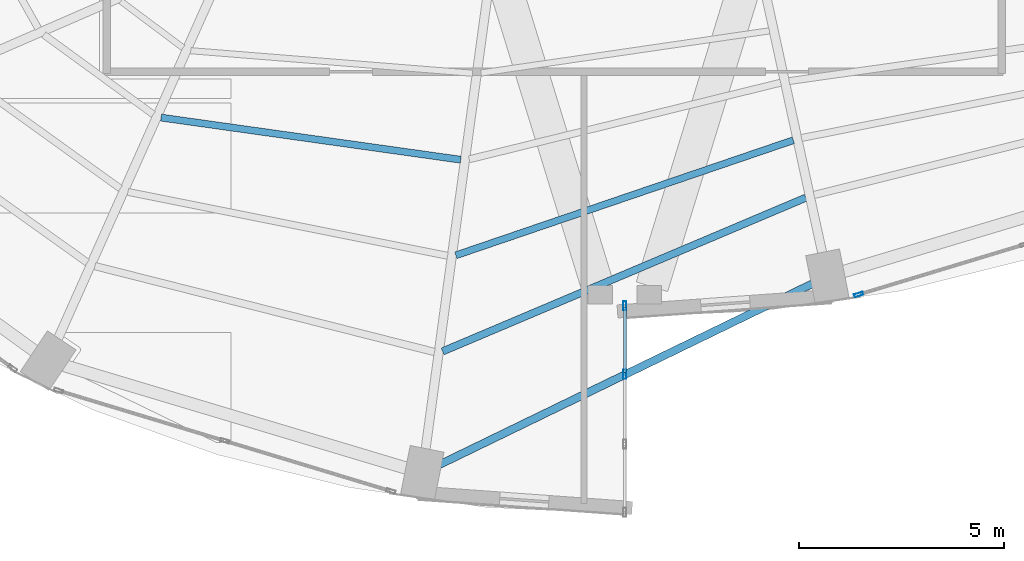
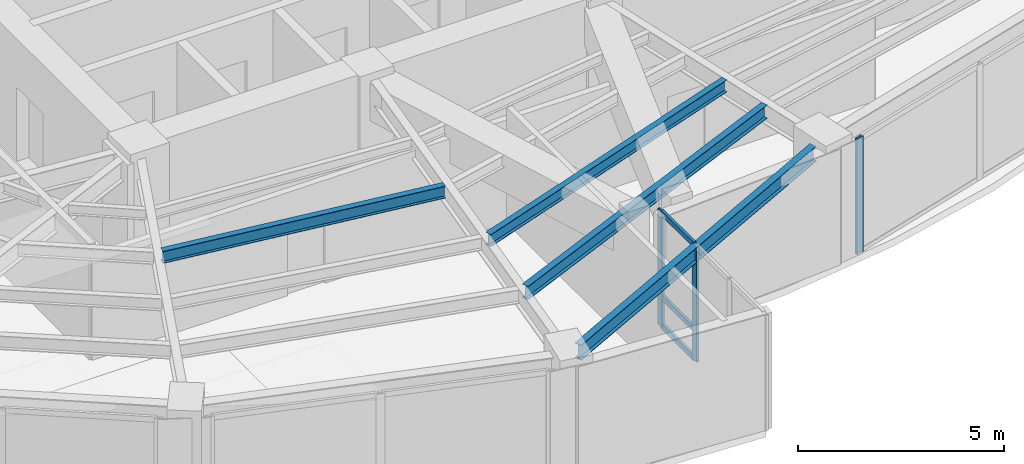
# One storey, part 6 of 24: 6 members, 4 beams, 2 elements without a shape of their own.
"""IFC4 building model written with IfcOpenShell, lengths in metres."""

from ifc_helpers import new_model, si_unit, direction, frame, origin, origin_2d, place, context, subcontext, project, spatial, hollow_rectangle, i_section, extrude, material, layer, layer_set, material_profile, profile_set, type_object, element, aggregate, save


model = new_model("IFC4")

# Units and contexts
model_context = context("Model", 3, precision=1e-05, world=origin(), true_north=direction((0.0, 1.0)))
body_context = subcontext(model_context, "Body", "Model", "MODEL_VIEW")
ifc_project = project(units=[si_unit("LENGTHUNIT", "METRE"), si_unit("AREAUNIT", "SQUARE_METRE"), si_unit("VOLUMEUNIT", "CUBIC_METRE"), si_unit("PLANEANGLEUNIT", "RADIAN"), si_unit("MASSUNIT", "GRAM", prefix="KILO")], contexts=[model_context])

# Site, building, storey
site_placement = place(None, origin())
site = spatial("IfcSite", under=ifc_project, at=site_placement, CompositionType="ELEMENT")
building_placement = place(site_placement, origin())
building = spatial("IfcBuilding", under=site, at=building_placement, Name="Lazwardi Medical Tower", CompositionType="ELEMENT")
storey_placement = place(building_placement, frame((0.0, 0.0, 99.98388671875)))
storey = spatial("IfcBuildingStorey", under=building, at=storey_placement, Name="L25", CompositionType="ELEMENT", Elevation=99.98388671875)

# Beams
ifc_material_1 = material(Name="Steel S355", Category="steel")
ifc_material_profile_1 = material_profile(ifc_material_1, i_section(OverallWidth=0.179931640625, OverallDepth=0.39990234375, WebThickness=0.008544921875, FlangeThickness=0.013427734375, at=origin_2d()), Name="IPE 400")
ifc_profile_set_1 = profile_set([ifc_material_profile_1], Name="Steel S355")
beam_type_1 = type_object("IfcBeamType", Name="BM-SJ-01", PredefinedType="JOIST", material=ifc_profile_set_1)
beam_1_placement = place(storey_placement, frame((31.550537109375, 10.571533203125, 3.22802734375), z_axis=(0.920947307957, 0.389687125739, 0.0), x_axis=(-0.389687125739, 0.920947307957, 0.0)))
element("IfcBeam", 1, at=beam_1_placement, inside=storey, type_object=beam_type_1, Name="Secondary joist SJ-01 R1 B16 L25", PredefinedType="JOIST", context=body_context, shape_type="SweptSolid", body=[
    extrude(i_section(OverallWidth=0.179931640625, OverallDepth=0.39990234375, WebThickness=0.008544921875, FlangeThickness=0.013427734375, at=origin_2d()), origin(), (0.0, 0.0, 1.0), 9.63134765625),
])
ifc_material_profile_2 = material_profile(ifc_material_1, i_section(OverallWidth=0.169921875, OverallDepth=0.360107421875, WebThickness=0.008056640625, FlangeThickness=0.0126953125, at=origin_2d()), Name="IPE 360")
ifc_profile_set_2 = profile_set([ifc_material_profile_2], Name="Steel S355")
beam_type_2 = type_object("IfcBeamType", Name="BM-SJ-02", PredefinedType="JOIST", material=ifc_profile_set_2)
beam_2_placement = place(storey_placement, frame((31.874267578125, 12.91796875, 3.248046875), z_axis=(0.946467154368, 0.322800132749, 0.0), x_axis=(-0.322800132749, 0.946467154368, 0.0)))
element("IfcBeam", 2, at=beam_2_placement, inside=storey, type_object=beam_type_2, Name="Secondary joist SJ-02 R2 B16 L25", PredefinedType="JOIST", context=body_context, shape_type="SweptSolid", body=[
    extrude(i_section(OverallWidth=0.169921875, OverallDepth=0.360107421875, WebThickness=0.008056640625, FlangeThickness=0.0126953125, at=origin_2d()), origin(), (0.0, 0.0, 1.0), 8.70458984375),
])
beam_3_placement = place(storey_placement, frame((24.67431640625, 16.281005859375, 3.248046875), z_axis=(0.990260920731, -0.139223952222, 0.0), x_axis=(0.139223952222, 0.990260920731, 0.0)))
element("IfcBeam", 3, at=beam_3_placement, inside=storey, type_object=beam_type_2, Name="Secondary joist SJ-02 R3 B15 L25", PredefinedType="JOIST", context=body_context, shape_type="SweptSolid", body=[
    extrude(i_section(OverallWidth=0.169921875, OverallDepth=0.360107421875, WebThickness=0.008056640625, FlangeThickness=0.0126953125, at=origin_2d()), origin(), (0.0, 0.0, 1.0), 7.3896484375),
])
ifc_material_profile_3 = material_profile(ifc_material_1, i_section(OverallWidth=0.18994140625, OverallDepth=0.449951171875, WebThickness=0.009521484375, FlangeThickness=0.0146484375, at=origin_2d()), Name="IPE 450")
ifc_profile_set_3 = profile_set([ifc_material_profile_3], Name="Steel S355")
beam_type_3 = type_object("IfcBeamType", Name="BM-SP-01", PredefinedType="SPANDREL", material=ifc_profile_set_3)
beam_4_placement = place(storey_placement, frame((31.42333984375, 7.781494140625, 3.203125), z_axis=(0.899653336227, 0.436604941125, 0.0), x_axis=(-0.436604941125, 0.899653336227, 0.0)))
element("IfcBeam", 4, at=beam_4_placement, inside=storey, type_object=beam_type_3, Name="Spandrel beam SP-01 B16 L25", PredefinedType="SPANDREL", context=body_context, shape_type="SweptSolid", body=[
    extrude(i_section(OverallWidth=0.18994140625, OverallDepth=0.449951171875, WebThickness=0.009521484375, FlangeThickness=0.0146484375, at=origin_2d()), origin(), (0.0, 0.0, 1.0), 10.17431640625),
])

# Curtain wall, member
ifc_material_2 = material(Name="Anodised bronze aluminium and solar control glazing", Category="aluminium")
ifc_layer_1 = layer(ifc_material_2, 0.195068359375)
ifc_layer_set_1 = layer_set([ifc_layer_1], Name="Anodised bronze aluminium and solar control glazing")
curtain_wall_type_1 = type_object("IfcCurtainWallType", Name="CW-SYS-03", PredefinedType="NOTDEFINED", material=ifc_layer_set_1)
curtain_wall_1_placement = place(storey_placement, origin())
curtain_wall_1 = element("IfcCurtainWall", 5, at=curtain_wall_1_placement, inside=storey, type_object=curtain_wall_type_1, Name="L25 Unitised bronze curtain wall CW-03", PredefinedType="NOTDEFINED")
ifc_material_3 = material(Name="Anodised bronze aluminium", Category="aluminium")
ifc_material_profile_4 = material_profile(ifc_material_3, hollow_rectangle(XDim=0.074951171875, YDim=0.219970703125, WallThickness=0.00390625, at=origin_2d()), Name="ALU-MULLION 220x75x4")
ifc_profile_set_4 = profile_set([ifc_material_profile_4], Name="Anodised bronze aluminium")
member_type_1 = type_object("IfcMemberType", Name="CW-MUL-01", PredefinedType="MULLION", material=ifc_profile_set_4)
member_1_placement = place(storey_placement, frame((41.710205078125, 11.9599609375, 0.0), z_axis=(0.0, 0.0, 1.0), x_axis=(-0.28937381157, 0.957216170558, 0.0)))
member_1 = element("IfcMember", 6, at=member_1_placement, type_object=member_type_1, Name="CW-03 mullion 1", PredefinedType="MULLION", context=body_context, shape_type="SweptSolid", body=[
    extrude(hollow_rectangle(XDim=0.074951171875, YDim=0.219970703125, WallThickness=0.00390625, at=origin_2d()), origin(), (0.0, 0.0, 1.0), 3.42822265625),
])
aggregate(curtain_wall_1, [member_1])

# Curtain wall, members
ifc_layer_2 = layer(ifc_material_2, 0.2099609375)
ifc_layer_set_2 = layer_set([ifc_layer_2], Name="Anodised bronze aluminium and solar control glazing")
curtain_wall_type_2 = type_object("IfcCurtainWallType", Name="CW-SYS-06", PredefinedType="NOTDEFINED", material=ifc_layer_set_2)
curtain_wall_2_placement = place(storey_placement, origin())
curtain_wall_2 = element("IfcCurtainWall", 7, at=curtain_wall_2_placement, inside=storey, type_object=curtain_wall_type_2, Name="L25 Unitised bronze curtain wall CW-06", PredefinedType="NOTDEFINED")
member_2_placement = place(storey_placement, frame((36.0, 10.013427734375, 0.0), z_axis=(0.0, 0.0, 1.0), x_axis=(-1.0, 0.0, 0.0)))
member_2 = element("IfcMember", 8, at=member_2_placement, type_object=member_type_1, Name="CW-06 mullion 3", PredefinedType="MULLION", context=body_context, shape_type="SweptSolid", body=[
    extrude(hollow_rectangle(XDim=0.074951171875, YDim=0.219970703125, WallThickness=0.00390625, at=origin_2d()), origin(), (0.0, 0.0, 1.0), 3.42822265625),
])
member_3_placement = place(storey_placement, frame((36.0, 11.6826171875, 0.0), z_axis=(0.0, 0.0, 1.0), x_axis=(-1.0, 0.0, 0.0)))
member_3 = element("IfcMember", 9, at=member_3_placement, type_object=member_type_1, Name="CW-06 mullion 4", PredefinedType="MULLION", context=body_context, shape_type="SweptSolid", body=[
    extrude(hollow_rectangle(XDim=0.074951171875, YDim=0.219970703125, WallThickness=0.00390625, at=origin_2d()), origin(), (0.0, 0.0, 1.0), 3.42822265625),
])
ifc_material_profile_5 = material_profile(ifc_material_3, hollow_rectangle(XDim=0.074951171875, YDim=0.159912109375, WallThickness=0.00390625, at=origin_2d()), Name="ALU-TRANSOM 160x75x4")
ifc_profile_set_5 = profile_set([ifc_material_profile_5], Name="Anodised bronze aluminium")
member_type_2 = type_object("IfcMemberType", Name="CW-TRN-01", PredefinedType="USERDEFINED", material=ifc_profile_set_5)
member_4_placement = place(storey_placement, frame((36.0, 10.05078125, 0.03759765625), z_axis=(0.0, 1.0, 0.0), x_axis=(-1.0, 0.0, 0.0)))
member_4 = element("IfcMember", 10, at=member_4_placement, type_object=member_type_2, Name="CW-06 transom 3.1", ObjectType="TRANSOM", PredefinedType="USERDEFINED", context=body_context, shape_type="SweptSolid", body=[
    extrude(hollow_rectangle(XDim=0.074951171875, YDim=0.159912109375, WallThickness=0.00390625, at=origin_2d()), origin(), (0.0, 0.0, 1.0), 1.59423828125),
])
member_5_placement = place(storey_placement, frame((36.0, 10.05078125, 0.900146484375), z_axis=(0.0, 1.0, 0.0), x_axis=(-1.0, 0.0, 0.0)))
member_5 = element("IfcMember", 11, at=member_5_placement, type_object=member_type_2, Name="CW-06 transom 3.2", ObjectType="TRANSOM", PredefinedType="USERDEFINED", context=body_context, shape_type="SweptSolid", body=[
    extrude(hollow_rectangle(XDim=0.074951171875, YDim=0.159912109375, WallThickness=0.00390625, at=origin_2d()), origin(), (0.0, 0.0, 1.0), 1.59423828125),
])
member_6_placement = place(storey_placement, frame((36.0, 10.05078125, 3.390625), z_axis=(0.0, 1.0, 0.0), x_axis=(-1.0, 0.0, 0.0)))
member_6 = element("IfcMember", 12, at=member_6_placement, type_object=member_type_2, Name="CW-06 transom 3.3", ObjectType="TRANSOM", PredefinedType="USERDEFINED", context=body_context, shape_type="SweptSolid", body=[
    extrude(hollow_rectangle(XDim=0.074951171875, YDim=0.159912109375, WallThickness=0.00390625, at=origin_2d()), origin(), (0.0, 0.0, 1.0), 1.59423828125),
])
aggregate(curtain_wall_2, [member_2, member_3, member_4, member_5, member_6])

save(model, "model.ifc")
